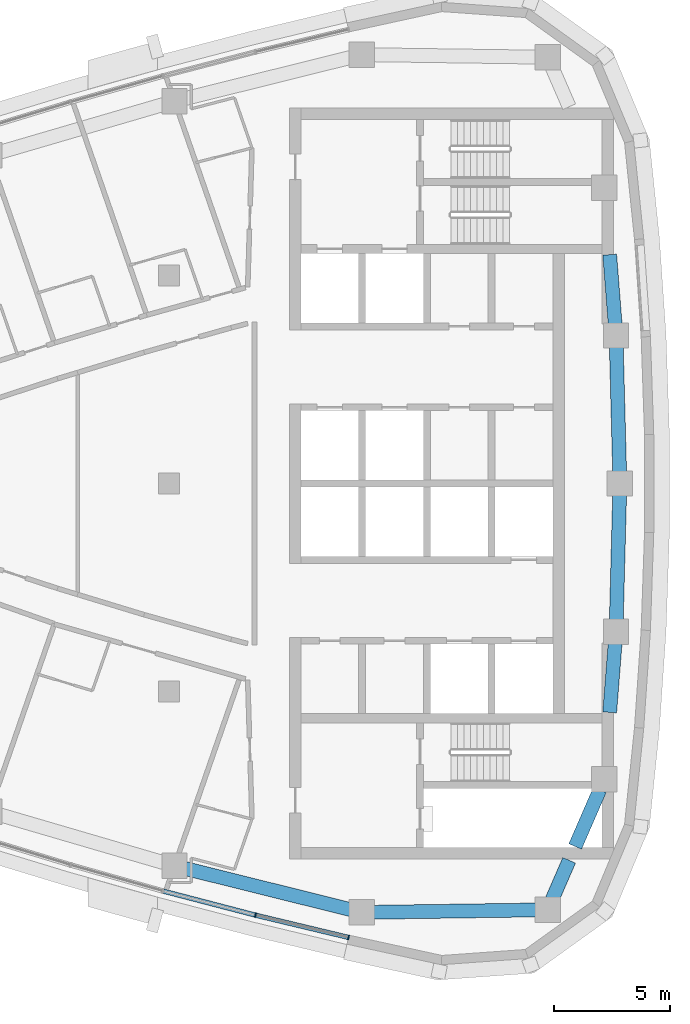
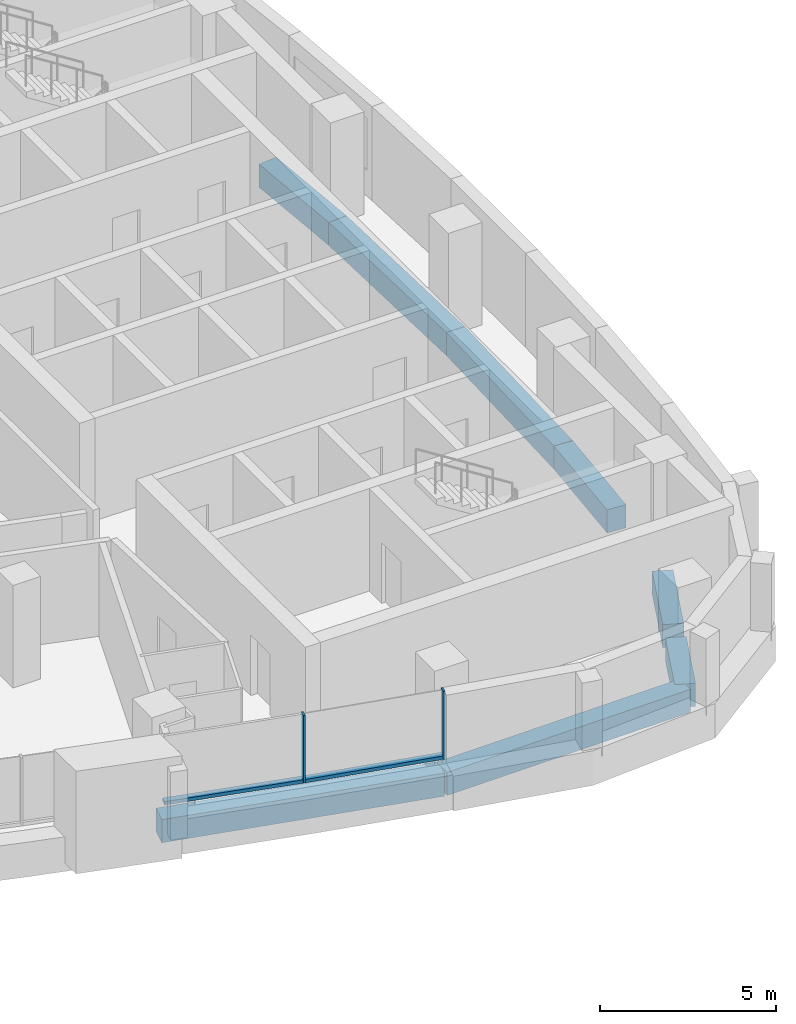
# One storey, part 4 of 14: 8 beams, 4 members, 1 element without a shape of its own.
"""IFC4 building model written with IfcOpenShell, lengths in metres."""

from ifc_helpers import new_model, si_unit, direction, frame, origin, origin_2d, place, context, subcontext, project, spatial, rectangle, extrude, material, layer, layer_set, material_profile, profile_set, type_object, element, aggregate, save


model = new_model("IFC4")

# Units and contexts
model_context = context("Model", 3, precision=1e-05, world=origin(), true_north=direction((0.0, 1.0)))
body_context = subcontext(model_context, "Body", "Model", "MODEL_VIEW")
ifc_project = project(units=[si_unit("LENGTHUNIT", "METRE"), si_unit("AREAUNIT", "SQUARE_METRE"), si_unit("VOLUMEUNIT", "CUBIC_METRE"), si_unit("PLANEANGLEUNIT", "RADIAN"), si_unit("MASSUNIT", "GRAM", prefix="KILO")], contexts=[model_context])

# Site, building, storey
site_placement = place(None, origin())
site = spatial("IfcSite", under=ifc_project, at=site_placement, CompositionType="ELEMENT")
building_placement = place(site_placement, origin())
building = spatial("IfcBuilding", under=site, at=building_placement, Name="Ostrand Prow Hotel Tower", CompositionType="ELEMENT")
storey_placement = place(building_placement, frame((0.0, 0.0, 285.64990234375)))
storey = spatial("IfcBuildingStorey", under=building, at=storey_placement, Name="L72", CompositionType="ELEMENT", Elevation=285.64990234375)

# Beams
ifc_material_1 = material(Name="Concrete C50/60", Category="concrete")
ifc_material_profile_1 = material_profile(ifc_material_1, rectangle(XDim=0.60009765625, YDim=0.800048828125, at=origin_2d()), Name="RC 600x800")
ifc_profile_set_1 = profile_set([ifc_material_profile_1], Name="Concrete C50/60")
beam_type = type_object("IfcBeamType", Name="Edge beam 600x800 C50/60", PredefinedType="SPANDREL", material=ifc_profile_set_1)
beam_1_placement = place(storey_placement, frame((45.234619140625, -16.53857421875, -0.699951171875), z_axis=(0.970456465292, -0.241276291775, 0.0), x_axis=(0.241276291775, 0.970456465292, 0.0)))
element("IfcBeam", 1, at=beam_1_placement, inside=storey, type_object=beam_type, Name="Edge beam S5-S6", PredefinedType="SPANDREL", context=body_context, shape_type="SweptSolid", body=[
    extrude(rectangle(XDim=0.60009765625, YDim=0.800048828125, at=origin_2d()), origin(), (0.0, 0.0, 1.0), 8.348876953125),
])
beam_2_placement = place(storey_placement, frame((53.3369140625, -18.552978515625, -0.699951171875), z_axis=(0.999900689486, 0.014092947356, 0.0), x_axis=(-0.014092947356, 0.999900689486, 0.0)))
element("IfcBeam", 2, at=beam_2_placement, inside=storey, type_object=beam_type, Name="Edge beam S6-SE", PredefinedType="SPANDREL", context=body_context, shape_type="SweptSolid", body=[
    extrude(rectangle(XDim=0.60009765625, YDim=0.800048828125, at=origin_2d()), origin(), (0.0, 0.0, 1.0), 8.0380859375),
])
beam_3_placement = place(storey_placement, frame((61.374267578125, -18.439697265625, -0.699951171875), z_axis=(0.398863844187, 0.91701016014, 0.0), x_axis=(-0.91701016014, 0.398863844187, 0.0)))
element("IfcBeam", 3, at=beam_3_placement, inside=storey, type_object=beam_type, Name="Edge beam SE-B1", PredefinedType="SPANDREL", context=body_context, shape_type="SweptSolid", body=[
    extrude(rectangle(XDim=0.60009765625, YDim=0.800048828125, at=origin_2d()), origin(), (0.0, 0.0, 1.0), 2.333251953125),
])
beam_4_placement = place(storey_placement, frame((62.56591796875, -15.699951171875, -0.699951171875), z_axis=(0.398799624102, 0.917038090712, 0.0), x_axis=(-0.917038090712, 0.398799624102, 0.0)))
element("IfcBeam", 4, at=beam_4_placement, inside=storey, type_object=beam_type, Name="Edge beam SE-B1", PredefinedType="SPANDREL", context=body_context, shape_type="SweptSolid", body=[
    extrude(rectangle(XDim=0.60009765625, YDim=0.800048828125, at=origin_2d()), origin(), (0.0, 0.0, 1.0), 2.671630859375),
])
beam_5_placement = place(storey_placement, frame((64.058349609375, -9.89990234375, -0.699951171875), z_axis=(0.078240080308, 0.996934546414, 0.0), x_axis=(-0.996934546414, 0.078240080308, 0.0)))
element("IfcBeam", 5, at=beam_5_placement, inside=storey, type_object=beam_type, Name="Edge beam B1-B2", PredefinedType="SPANDREL", context=body_context, shape_type="SweptSolid", body=[
    extrude(rectangle(XDim=0.60009765625, YDim=0.800048828125, at=origin_2d()), origin(), (0.0, 0.0, 1.0), 3.50732421875),
])
for number, where, z_axis, x_axis, name in (
    (6, (64.332763671875, -6.4033203125, -0.699951171875), (0.026108223987, 0.999659122221, 0.0), (-0.999659122221, 0.026108223987, 0.0), "Edge beam B2-B3"),
    (7, (64.5, 0.0, -0.699951171875), (-0.026108223987, 0.999659122221, 0.0), (-0.999659122221, -0.026108223987, 0.0), "Edge beam B3-B4"),
):
    element("IfcBeam", number, at=place(storey_placement, frame(where, z_axis=z_axis, x_axis=x_axis)), inside=storey, type_object=beam_type, Name=name, PredefinedType="SPANDREL", context=body_context, shape_type="SweptSolid", body=[
        extrude(rectangle(XDim=0.60009765625, YDim=0.800048828125, at=origin_2d()), origin(), (0.0, 0.0, 1.0), 6.405517578125),
    ])
beam_6_placement = place(storey_placement, frame((64.332763671875, 6.4033203125, -0.699951171875), z_axis=(-0.078240080308, 0.996934546414, 0.0), x_axis=(-0.996934546414, -0.078240080308, 0.0)))
element("IfcBeam", 8, at=beam_6_placement, inside=storey, type_object=beam_type, Name="Edge beam B4-B5", PredefinedType="SPANDREL", context=body_context, shape_type="SweptSolid", body=[
    extrude(rectangle(XDim=0.60009765625, YDim=0.800048828125, at=origin_2d()), origin(), (0.0, 0.0, 1.0), 3.50732421875),
])

# Curtain wall, members
ifc_material_2 = material(Name="Insulated glass in bronze anodised frame", Category="glass")
ifc_layer = layer(ifc_material_2, 0.199951171875)
ifc_layer_set = layer_set([ifc_layer], Name="Insulated glass in bronze anodised frame")
curtain_wall_type = type_object("IfcCurtainWallType", Name="Strip curtain wall, fritted glass over bronze spandrel", PredefinedType="NOTDEFINED", material=ifc_layer_set)
curtain_wall_placement = place(storey_placement, origin())
curtain_wall = element("IfcCurtainWall", 9, at=curtain_wall_placement, inside=storey, type_object=curtain_wall_type, Name="CW1 run CWS5", PredefinedType="NOTDEFINED")
ifc_material_3 = material(Name="Bronze anodised aluminium", Category="aluminium")
ifc_material_profile_2 = material_profile(ifc_material_3, rectangle(XDim=0.199951171875, YDim=0.06005859375, at=origin_2d()), Name="Mullion 60x200 bronze anodised aluminium")
ifc_profile_set_2 = profile_set([ifc_material_profile_2], Name="Bronze anodised aluminium")
member_type_1 = type_object("IfcMemberType", Name="Mullion 60x200 bronze anodised aluminium", PredefinedType="MULLION", material=ifc_profile_set_2)
member_1_placement = place(storey_placement, frame((48.734619140625, -18.6708984375, 0.900146484375), z_axis=(0.0, 0.0, 1.0), x_axis=(0.232746096028, 0.972537533869, 0.0)))
member_1 = element("IfcMember", 10, at=member_1_placement, type_object=member_type_1, Name="CW1 mullion 2", PredefinedType="MULLION", context=body_context, shape_type="SweptSolid", body=[
    extrude(rectangle(XDim=0.199951171875, YDim=0.06005859375, at=origin_2d()), origin(), (0.0, 0.0, 1.0), 2.349853515625),
])
member_2_placement = place(storey_placement, frame((52.7607421875, -19.634521484375, 0.900146484375), z_axis=(0.0, 0.0, 1.0), x_axis=(0.232746096028, 0.972537533869, 0.0)))
member_2 = element("IfcMember", 11, at=member_2_placement, type_object=member_type_1, Name="CW1 mullion 3", PredefinedType="MULLION", context=body_context, shape_type="SweptSolid", body=[
    extrude(rectangle(XDim=0.199951171875, YDim=0.06005859375, at=origin_2d()), origin(), (0.0, 0.0, 1.0), 2.349853515625),
])
ifc_material_4 = material(Name="Bronze anodised aluminium", Category="aluminium")
ifc_material_profile_3 = material_profile(ifc_material_4, rectangle(XDim=0.199951171875, YDim=0.1201171875, at=origin_2d()), Name="Transom 120x200 bronze anodised aluminium")
ifc_profile_set_3 = profile_set([ifc_material_profile_3], Name="Bronze anodised aluminium")
member_type_2 = type_object("IfcMemberType", Name="Transom 120x200 bronze anodised aluminium", PredefinedType="USERDEFINED", material=ifc_profile_set_3)
member_3_placement = place(storey_placement, frame((44.7578125, -17.63427734375, 0.960205078125), z_axis=(0.967664917891, -0.252239185461, 0.0), x_axis=(0.252239185461, 0.967664917891, 0.0)))
member_3 = element("IfcMember", 12, at=member_3_placement, type_object=member_type_2, Name="CW1 transom 1.1", ObjectType="TRANSOM", PredefinedType="USERDEFINED", context=body_context, shape_type="SweptSolid", body=[
    extrude(rectangle(XDim=0.199951171875, YDim=0.1201171875, at=origin_2d()), origin(), (0.0, 0.0, 1.0), 4.07958984375),
])
member_4_placement = place(storey_placement, frame((48.763671875, -18.677978515625, 0.960205078125), z_axis=(0.972542980558, -0.232723335675, 0.0), x_axis=(0.232723335675, 0.972542980558, 0.0)))
member_4 = element("IfcMember", 13, at=member_4_placement, type_object=member_type_2, Name="CW1 transom 2.1", ObjectType="TRANSOM", PredefinedType="USERDEFINED", context=body_context, shape_type="SweptSolid", body=[
    extrude(rectangle(XDim=0.199951171875, YDim=0.1201171875, at=origin_2d()), origin(), (0.0, 0.0, 1.0), 4.079833984375),
])
aggregate(curtain_wall, [member_1, member_2, member_3, member_4])

save(model, "model.ifc")
